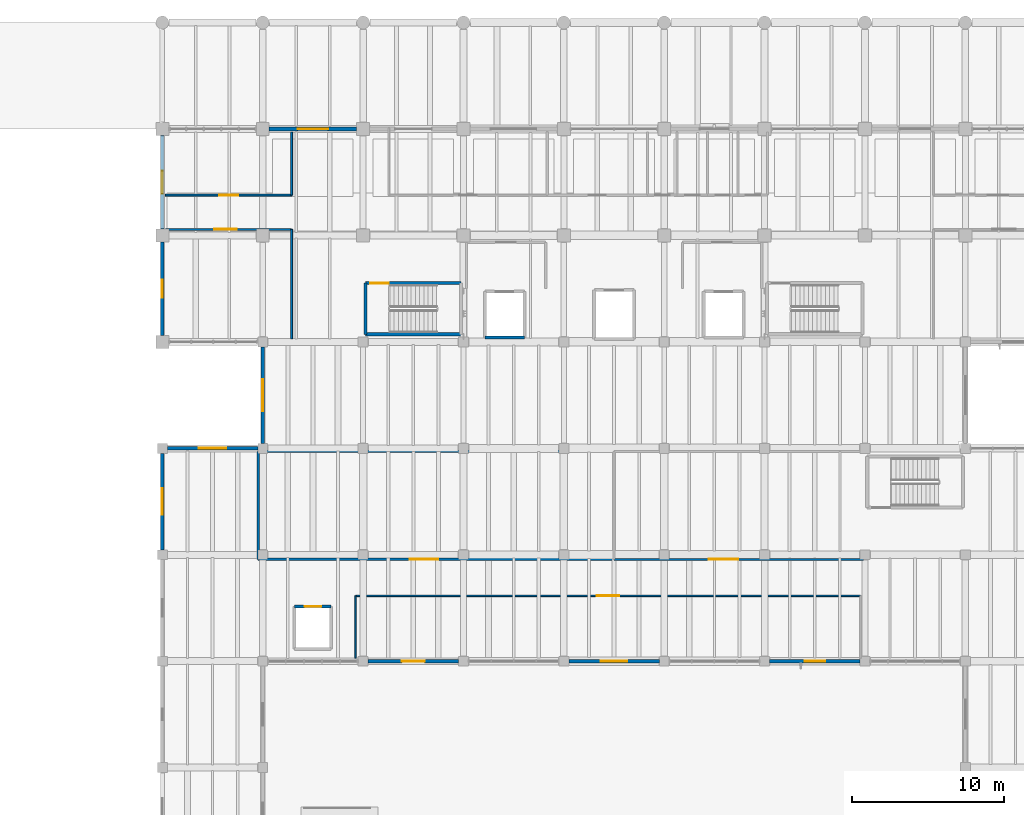
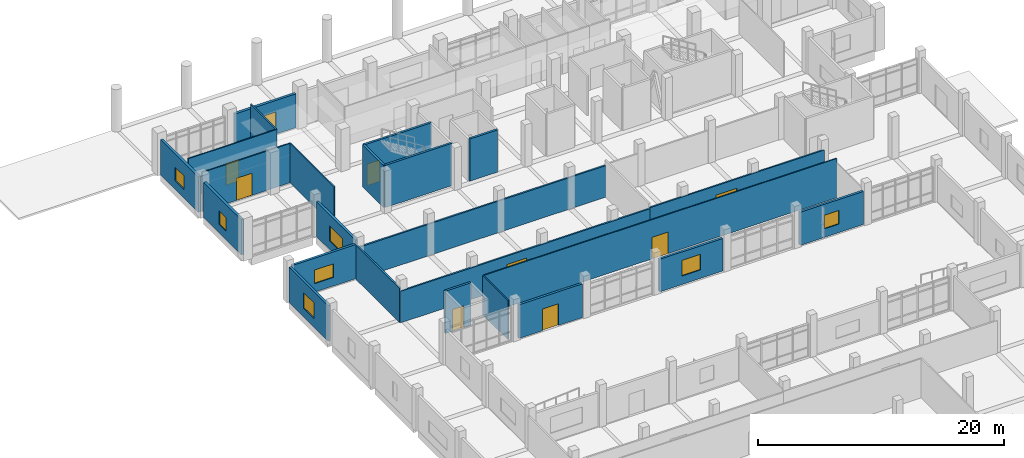
# One storey, part 48 of 69: 24 walls, 9 doors, 7 windows, 16 openings.
"""IFC4 building model written with IfcOpenShell, lengths in metres."""

from ifc_helpers import new_model, si_unit, direction, frame, frame_2d, origin, place, context, subcontext, project, spatial, rectangle, extrude, material, layer, layer_set, type_object, element, fill, save


model = new_model("IFC4")

# Units and contexts
model_context = context("Model", 3, precision=1e-05, world=origin(), true_north=direction((0.0, 1.0)))
body_context = subcontext(model_context, "Body", "Model", "MODEL_VIEW")
ifc_project = project(units=[si_unit("LENGTHUNIT", "METRE"), si_unit("AREAUNIT", "SQUARE_METRE"), si_unit("VOLUMEUNIT", "CUBIC_METRE"), si_unit("PLANEANGLEUNIT", "RADIAN"), si_unit("MASSUNIT", "GRAM", prefix="KILO")], contexts=[model_context])

# Site, building, storey
site_placement = place(None, origin())
site = spatial("IfcSite", under=ifc_project, at=site_placement, CompositionType="ELEMENT")
building_placement = place(site_placement, origin())
building = spatial("IfcBuilding", under=site, at=building_placement, Name="Ciguamira Faculty of Natural Sciences", CompositionType="ELEMENT")
storey_placement = place(building_placement, origin())
storey = spatial("IfcBuildingStorey", under=building, at=storey_placement, Name="L00", CompositionType="ELEMENT", Elevation=0.0)

# Wall, opening, door
ifc_material_1 = material(Name="Precast concrete C40/50", Category="concrete")
ifc_layer_1 = layer(ifc_material_1, 0.239990234375, Name="Precast concrete C40/50")
ifc_layer_set_1 = layer_set([ifc_layer_1], Name="Precast concrete C40/50")
wall_type_1 = type_object("IfcWallType", Name="ExtWall_EW-02_240", PredefinedType="SOLIDWALL", material=ifc_layer_set_1)
wall_1_placement = place(storey_placement, frame((64.324951171875, 108.0, 0.0), z_axis=(0.0, 0.0, 1.0), x_axis=(1.0, 0.0, 0.0)))
wall_1 = element("IfcWall", 1, at=wall_1_placement, inside=storey, type_object=wall_type_1, Name="L00 exterior wall 0100", PredefinedType="SOLIDWALL", context=body_context, shape_type="SweptSolid", body=[
    extrude(rectangle(XDim=5.75, YDim=0.239990234375, at=frame_2d((2.875, 0.0))), origin(), (0.0, 0.0, 1.0), 3.344970703125),
])
opening_1_placement = place(wall_1_placement, frame((1.875, 0.0, 0.0)))
opening_1 = element("IfcOpeningElement", 2, at=opening_1_placement, cuts=wall_1, Name="Opening ED-01", PredefinedType="OPENING", context=body_context, shape_type="SweptSolid", body=[
    extrude(rectangle(XDim=2.0, YDim=2.199951171875, at=frame_2d((1.0, 1.10009765625))), frame((0.0, 0.1298828125, 0.0), z_axis=(0.0, -1.0, 0.0), x_axis=(1.0, 0.0, 0.0)), (0.0, 0.0, 1.0), 0.260009765625),
])
ifc_material_2 = material(Name="Anodized aluminium double exit door", Category="aluminium")
door_type_1 = type_object("IfcDoorType", Name="ExtDoor_ED-01_2000x2200", OperationType="NOTDEFINED", PredefinedType="DOOR", material=ifc_material_2)
door_1_placement = place(opening_1_placement, origin())
door_1 = element("IfcDoor", 3, at=door_1_placement, inside=storey, type_object=door_type_1, Name="Tower West Boulevard Final Exit ED-12", OperationType="DOUBLE_DOOR_SINGLE_SWING", OverallHeight=2.199951171875, OverallWidth=2.0, PredefinedType="DOOR", context=body_context, shape_type="SweptSolid", body=[
    extrude(rectangle(XDim=2.0, YDim=2.199951171875, at=frame_2d((1.0, 1.10009765625))), frame((0.0, 0.02490234375, 0.0), z_axis=(0.0, -1.0, 0.0), x_axis=(1.0, 0.0, 0.0)), (0.0, 0.0, 1.0), 0.050048828125),
])
fill(opening_1, door_1)

# Wall, opening, window
wall_2_placement = place(storey_placement, frame((57.300048828125, 94.425048828125, 0.0), z_axis=(0.0, 0.0, 1.0), x_axis=(0.0, 1.0, 0.0)))
wall_2 = element("IfcWall", 4, at=wall_2_placement, inside=storey, type_object=wall_type_1, Name="L00 exterior wall 0115", PredefinedType="SOLIDWALL", context=body_context, shape_type="SweptSolid", body=[
    extrude(rectangle(XDim=6.14990234375, YDim=0.239990234375, at=frame_2d((3.074951171875, 0.0))), origin(), (0.0, 0.0, 1.0), 3.5048828125),
])
opening_2_placement = place(wall_2_placement, frame((2.47509765625, 0.0, 0.85009765625)))
opening_2 = element("IfcOpeningElement", 5, at=opening_2_placement, cuts=wall_2, Name="Opening WT-01", PredefinedType="OPENING", context=body_context, shape_type="SweptSolid", body=[
    extrude(rectangle(XDim=1.199951171875, YDim=1.35009765625, at=frame_2d((0.60009765625, 0.675048828125))), frame((0.0, 0.1298828125, 0.0), z_axis=(0.0, -1.0, 0.0), x_axis=(1.0, 0.0, 0.0)), (0.0, 0.0, 1.0), 0.260009765625),
])
ifc_material_3 = material(Name="Hurricane laminated solar glass", Category="glass")
window_type_1 = type_object("IfcWindowType", Name="Window_WT-01_1200x1350", PartitioningType="DOUBLE_PANEL_VERTICAL", PredefinedType="WINDOW", material=ifc_material_3)
window_1_placement = place(opening_2_placement, origin())
window_1 = element("IfcWindow", 6, at=window_1_placement, inside=storey, type_object=window_type_1, Name="L00 facade window 0034", OverallHeight=1.35009765625, OverallWidth=1.199951171875, PartitioningType="SINGLE_PANEL", PredefinedType="WINDOW", context=body_context, shape_type="SweptSolid", body=[
    extrude(rectangle(XDim=1.199951171875, YDim=1.35009765625, at=frame_2d((0.60009765625, 0.675048828125))), frame((0.0, 0.030029296875, 0.0), z_axis=(0.0, -1.0, 0.0), x_axis=(1.0, 0.0, 0.0)), (0.0, 0.0, 1.0), 0.06005859375),
])
fill(opening_2, window_1)

wall_3_placement = place(storey_placement, frame((57.300048828125, 101.425048828125, 0.0), z_axis=(0.0, 0.0, 1.0), x_axis=(0.0, 1.0, 0.0)))
wall_3 = element("IfcWall", 7, at=wall_3_placement, inside=storey, type_object=wall_type_1, Name="L00 exterior wall 0116", PredefinedType="SOLIDWALL", context=body_context, shape_type="SweptSolid", body=[
    extrude(rectangle(XDim=6.14990234375, YDim=0.239990234375, at=frame_2d((3.074951171875, 0.0))), origin(), (0.0, 0.0, 1.0), 3.5048828125),
])
opening_3_placement = place(wall_3_placement, frame((2.324951171875, 0.0, 0.85009765625)))
opening_3 = element("IfcOpeningElement", 8, at=opening_3_placement, cuts=wall_3, Name="Opening WT-03", PredefinedType="OPENING", context=body_context, shape_type="SweptSolid", body=[
    extrude(rectangle(XDim=1.5, YDim=1.35009765625, at=frame_2d((0.75, 0.675048828125))), frame((0.0, 0.1298828125, 0.0), z_axis=(0.0, -1.0, 0.0), x_axis=(1.0, 0.0, 0.0)), (0.0, 0.0, 1.0), 0.260009765625),
])
window_type_2 = type_object("IfcWindowType", Name="Window_WT-03_1500x1350", PartitioningType="DOUBLE_PANEL_VERTICAL", PredefinedType="WINDOW", material=ifc_material_3)
window_2_placement = place(opening_3_placement, origin())
window_2 = element("IfcWindow", 9, at=window_2_placement, inside=storey, type_object=window_type_2, Name="L00 facade window 0035", OverallHeight=1.35009765625, OverallWidth=1.5, PartitioningType="SINGLE_PANEL", PredefinedType="WINDOW", context=body_context, shape_type="SweptSolid", body=[
    extrude(rectangle(XDim=1.5, YDim=1.35009765625, at=frame_2d((0.75, 0.675048828125))), frame((0.0, 0.030029296875, 0.0), z_axis=(0.0, -1.0, 0.0), x_axis=(1.0, 0.0, 0.0)), (0.0, 0.0, 1.0), 0.06005859375),
])
fill(opening_3, window_2)

# Wall, opening, door
ifc_layer_2 = layer(ifc_material_1, 0.219970703125, Name="Precast concrete C40/50")
ifc_layer_set_2 = layer_set([ifc_layer_2], Name="Precast concrete C40/50")
wall_type_2 = type_object("IfcWallType", Name="ExtWall_EW-03_220", PredefinedType="SOLIDWALL", material=ifc_layer_set_2)
wall_4_placement = place(storey_placement, frame((70.824951171875, 73.0, 0.0), z_axis=(0.0, 0.0, 1.0), x_axis=(1.0, 0.0, 0.0)))
wall_4 = element("IfcWall", 10, at=wall_4_placement, inside=storey, type_object=wall_type_2, Name="L00 exterior wall 0095", PredefinedType="SOLIDWALL", context=body_context, shape_type="SweptSolid", body=[
    extrude(rectangle(XDim=5.949951171875, YDim=0.219970703125, at=frame_2d((2.97509765625, 0.0))), origin(), (0.0, 0.0, 1.0), 3.344970703125),
])
opening_4_placement = place(wall_4_placement, frame((2.22509765625, 0.0, 0.0)))
opening_4 = element("IfcOpeningElement", 11, at=opening_4_placement, cuts=wall_4, Name="Opening ED-09", PredefinedType="OPENING", context=body_context, shape_type="SweptSolid", body=[
    extrude(rectangle(XDim=1.5, YDim=2.14990234375, at=frame_2d((0.75, 1.074951171875))), frame((0.0, 0.119873046875, 0.0), z_axis=(0.0, -1.0, 0.0), x_axis=(1.0, 0.0, 0.0)), (0.0, 0.0, 1.0), 0.239990234375),
])
ifc_material_4 = material(Name="Court promenade entrance door")
door_type_2 = type_object("IfcDoorType", Name="ExtDoor_ED-09_1500x2150", OperationType="NOTDEFINED", PredefinedType="DOOR", material=ifc_material_4)
door_2_placement = place(opening_4_placement, frame((1.5, 0.0, 0.0), z_axis=(0.0, 0.0, 1.0), x_axis=(-1.0, 0.0, 0.0)))
door_2 = element("IfcDoor", 12, at=door_2_placement, inside=storey, type_object=door_type_2, Name="Karst Court North Concourse Exit ED-11", OperationType="DOUBLE_DOOR_SINGLE_SWING", OverallHeight=2.14990234375, OverallWidth=1.5, PredefinedType="DOOR", context=body_context, shape_type="SweptSolid", body=[
    extrude(rectangle(XDim=1.5, YDim=2.14990234375, at=frame_2d((0.75, 1.074951171875))), frame((0.0, 0.02490234375, 0.0), z_axis=(0.0, -1.0, 0.0), x_axis=(1.0, 0.0, 0.0)), (0.0, 0.0, 1.0), 0.050048828125),
])
fill(opening_4, door_2)

# Wall, opening, window
wall_5_placement = place(storey_placement, frame((84.02490234375, 73.0, 0.0), z_axis=(0.0, 0.0, 1.0), x_axis=(1.0, 0.0, 0.0)))
wall_5 = element("IfcWall", 13, at=wall_5_placement, inside=storey, type_object=wall_type_2, Name="L00 exterior wall 0096", PredefinedType="SOLIDWALL", context=body_context, shape_type="SweptSolid", body=[
    extrude(rectangle(XDim=5.9501953125, YDim=0.219970703125, at=frame_2d((2.97509765625, 0.0))), origin(), (0.0, 0.0, 1.0), 3.235107421875),
])
opening_5_placement = place(wall_5_placement, frame((2.10009765625, 0.0, 0.85009765625)))
opening_5 = element("IfcOpeningElement", 14, at=opening_5_placement, cuts=wall_5, Name="Opening WT-39", PredefinedType="OPENING", context=body_context, shape_type="SweptSolid", body=[
    extrude(rectangle(XDim=1.75, YDim=1.550048828125, at=frame_2d((0.875, 0.77490234375))), frame((0.0, 0.119873046875, 0.0), z_axis=(0.0, -1.0, 0.0), x_axis=(1.0, 0.0, 0.0)), (0.0, 0.0, 1.0), 0.239990234375),
])
window_type_3 = type_object("IfcWindowType", Name="Window_WT-39_1750x1550", PartitioningType="DOUBLE_PANEL_VERTICAL", PredefinedType="WINDOW", material=ifc_material_3)
window_3_placement = place(opening_5_placement, origin())
window_3 = element("IfcWindow", 15, at=window_3_placement, inside=storey, type_object=window_type_3, Name="L00 facade window 0021", OverallHeight=1.550048828125, OverallWidth=1.75, PartitioningType="SINGLE_PANEL", PredefinedType="WINDOW", context=body_context, shape_type="SweptSolid", body=[
    extrude(rectangle(XDim=1.75, YDim=1.550048828125, at=frame_2d((0.875, 0.77490234375))), frame((0.0, 0.030029296875, 0.0), z_axis=(0.0, -1.0, 0.0), x_axis=(1.0, 0.0, 0.0)), (0.0, 0.0, 1.0), 0.06005859375),
])
fill(opening_5, window_3)

wall_6_placement = place(storey_placement, frame((97.22509765625, 73.0, 0.0), z_axis=(0.0, 0.0, 1.0), x_axis=(1.0, 0.0, 0.0)))
wall_6 = element("IfcWall", 16, at=wall_6_placement, inside=storey, type_object=wall_type_2, Name="L00 exterior wall 0097", PredefinedType="SOLIDWALL", context=body_context, shape_type="SweptSolid", body=[
    extrude(rectangle(XDim=5.949951171875, YDim=0.219970703125, at=frame_2d((2.97509765625, 0.0))), origin(), (0.0, 0.0, 1.0), 3.284912109375),
])
opening_6_placement = place(wall_6_placement, frame((2.300048828125, 0.0, 0.85009765625)))
opening_6 = element("IfcOpeningElement", 17, at=opening_6_placement, cuts=wall_6, Name="Opening WT-02", PredefinedType="OPENING", context=body_context, shape_type="SweptSolid", body=[
    extrude(rectangle(XDim=1.35009765625, YDim=1.35009765625, at=frame_2d((0.675048828125, 0.675048828125))), frame((0.0, 0.119873046875, 0.0), z_axis=(0.0, -1.0, 0.0), x_axis=(1.0, 0.0, 0.0)), (0.0, 0.0, 1.0), 0.239990234375),
])
window_type_4 = type_object("IfcWindowType", Name="Window_WT-02_1350x1350", PartitioningType="DOUBLE_PANEL_VERTICAL", PredefinedType="WINDOW", material=ifc_material_3)
window_4_placement = place(opening_6_placement, origin())
window_4 = element("IfcWindow", 18, at=window_4_placement, inside=storey, type_object=window_type_4, Name="L00 facade window 0022", OverallHeight=1.35009765625, OverallWidth=1.35009765625, PartitioningType="SINGLE_PANEL", PredefinedType="WINDOW", context=body_context, shape_type="SweptSolid", body=[
    extrude(rectangle(XDim=1.35009765625, YDim=1.35009765625, at=frame_2d((0.675048828125, 0.675048828125))), frame((0.0, 0.030029296875, 0.0), z_axis=(0.0, -1.0, 0.0), x_axis=(1.0, 0.0, 0.0)), (0.0, 0.0, 1.0), 0.06005859375),
])
fill(opening_6, window_4)

wall_7_placement = place(storey_placement, frame((57.625, 87.0, 0.0), z_axis=(0.0, 0.0, 1.0), x_axis=(1.0, 0.0, 0.0)))
wall_7 = element("IfcWall", 19, at=wall_7_placement, inside=storey, type_object=wall_type_2, Name="L00 exterior wall 0098", PredefinedType="SOLIDWALL", context=body_context, shape_type="SweptSolid", body=[
    extrude(rectangle(XDim=5.949951171875, YDim=0.219970703125, at=frame_2d((2.97509765625, 0.0))), origin(), (0.0, 0.0, 1.0), 3.385009765625),
])
opening_7_placement = place(wall_7_placement, frame((2.074951171875, 0.0, 0.85009765625)))
opening_7 = element("IfcOpeningElement", 20, at=opening_7_placement, cuts=wall_7, Name="Opening WT-05", PredefinedType="OPENING", context=body_context, shape_type="SweptSolid", body=[
    extrude(rectangle(XDim=1.800048828125, YDim=1.35009765625, at=frame_2d((0.89990234375, 0.675048828125))), frame((0.0, 0.119873046875, 0.0), z_axis=(0.0, -1.0, 0.0), x_axis=(1.0, 0.0, 0.0)), (0.0, 0.0, 1.0), 0.239990234375),
])
window_type_5 = type_object("IfcWindowType", Name="Window_WT-05_1800x1350", PartitioningType="DOUBLE_PANEL_VERTICAL", PredefinedType="WINDOW", material=ifc_material_3)
window_5_placement = place(opening_7_placement, origin())
window_5 = element("IfcWindow", 21, at=window_5_placement, inside=storey, type_object=window_type_5, Name="L00 facade window 0023", OverallHeight=1.35009765625, OverallWidth=1.800048828125, PartitioningType="SINGLE_PANEL", PredefinedType="WINDOW", context=body_context, shape_type="SweptSolid", body=[
    extrude(rectangle(XDim=1.800048828125, YDim=1.35009765625, at=frame_2d((0.89990234375, 0.675048828125))), frame((0.0, 0.030029296875, 0.0), z_axis=(0.0, -1.0, 0.0), x_axis=(1.0, 0.0, 0.0)), (0.0, 0.0, 1.0), 0.06005859375),
])
fill(opening_7, window_5)

wall_8_placement = place(storey_placement, frame((57.300048828125, 80.324951171875, 0.0), z_axis=(0.0, 0.0, 1.0), x_axis=(0.0, 1.0, 0.0)))
wall_8 = element("IfcWall", 22, at=wall_8_placement, inside=storey, type_object=wall_type_2, Name="L00 exterior wall 0114", PredefinedType="SOLIDWALL", context=body_context, shape_type="SweptSolid", body=[
    extrude(rectangle(XDim=6.35009765625, YDim=0.219970703125, at=frame_2d((3.175048828125, 0.0))), origin(), (0.0, 0.0, 1.0), 3.5048828125),
])
opening_8_placement = place(wall_8_placement, frame((2.300048828125, 0.0, 0.85009765625)))
opening_8 = element("IfcOpeningElement", 23, at=opening_8_placement, cuts=wall_8, Name="Opening WT-39", PredefinedType="OPENING", context=body_context, shape_type="SweptSolid", body=[
    extrude(rectangle(XDim=1.75, YDim=1.550048828125, at=frame_2d((0.875, 0.77490234375))), frame((0.0, 0.119873046875, 0.0), z_axis=(0.0, -1.0, 0.0), x_axis=(1.0, 0.0, 0.0)), (0.0, 0.0, 1.0), 0.239990234375),
])
window_6_placement = place(opening_8_placement, origin())
window_6 = element("IfcWindow", 24, at=window_6_placement, inside=storey, type_object=window_type_3, Name="L00 facade window 0033", OverallHeight=1.550048828125, OverallWidth=1.75, PartitioningType="SINGLE_PANEL", PredefinedType="WINDOW", context=body_context, shape_type="SweptSolid", body=[
    extrude(rectangle(XDim=1.75, YDim=1.550048828125, at=frame_2d((0.875, 0.77490234375))), frame((0.0, 0.030029296875, 0.0), z_axis=(0.0, -1.0, 0.0), x_axis=(1.0, 0.0, 0.0)), (0.0, 0.0, 1.0), 0.06005859375),
])
fill(opening_8, window_6)

wall_9_placement = place(storey_placement, frame((63.89990234375, 87.324951171875, 0.0), z_axis=(0.0, 0.0, 1.0), x_axis=(0.0, 1.0, 0.0)))
wall_9 = element("IfcWall", 25, at=wall_9_placement, inside=storey, type_object=wall_type_2, Name="L00 exterior wall 0120", PredefinedType="SOLIDWALL", context=body_context, shape_type="SweptSolid", body=[
    extrude(rectangle(XDim=6.35009765625, YDim=0.219970703125, at=frame_2d((3.175048828125, 0.0))), origin(), (0.0, 0.0, 1.0), 3.465087890625),
])
opening_9_placement = place(wall_9_placement, frame((2.125, 0.0, 0.85009765625)))
opening_9 = element("IfcOpeningElement", 26, at=opening_9_placement, cuts=wall_9, Name="Opening WT-11", PredefinedType="OPENING", context=body_context, shape_type="SweptSolid", body=[
    extrude(rectangle(XDim=2.10009765625, YDim=1.5, at=frame_2d((1.050048828125, 0.75))), frame((0.0, 0.119873046875, 0.0), z_axis=(0.0, -1.0, 0.0), x_axis=(1.0, 0.0, 0.0)), (0.0, 0.0, 1.0), 0.239990234375),
])
window_type_6 = type_object("IfcWindowType", Name="Window_WT-11_2100x1500", PartitioningType="DOUBLE_PANEL_VERTICAL", PredefinedType="WINDOW", material=ifc_material_3)
window_7_placement = place(opening_9_placement, origin())
window_7 = element("IfcWindow", 27, at=window_7_placement, inside=storey, type_object=window_type_6, Name="L00 facade window 0039", OverallHeight=1.5, OverallWidth=2.10009765625, PartitioningType="SINGLE_PANEL", PredefinedType="WINDOW", context=body_context, shape_type="SweptSolid", body=[
    extrude(rectangle(XDim=2.10009765625, YDim=1.5, at=frame_2d((1.050048828125, 0.75))), frame((0.0, 0.030029296875, 0.0), z_axis=(0.0, -1.0, 0.0), x_axis=(1.0, 0.0, 0.0)), (0.0, 0.0, 1.0), 0.06005859375),
])
fill(opening_9, window_7)

# Wall
ifc_material_5 = material(Name="Concrete C40/50", Category="concrete")
ifc_layer_3 = layer(ifc_material_5, 0.199951171875, Name="Concrete C40/50")
ifc_layer_set_3 = layer_set([ifc_layer_3], Name="Concrete C40/50")
wall_type_3 = type_object("IfcWallType", Name="IntWall_CW-S20_200", PredefinedType="SHEAR", material=ifc_layer_set_3)
wall_10_placement = place(storey_placement, frame((70.64990234375, 94.5, 0.0), z_axis=(0.0, 0.0, 1.0), x_axis=(1.0, 0.0, 0.0)))
element("IfcWall", 28, at=wall_10_placement, inside=storey, type_object=wall_type_3, Name="L00 ST-T1 core shear wall south", PredefinedType="SHEAR", context=body_context, shape_type="SweptSolid", body=[
    extrude(rectangle(XDim=6.300048828125, YDim=0.199951171875, at=frame_2d((3.14990234375, 0.0))), origin(), (0.0, 0.0, 1.0), 4.199951171875),
])

# Wall, opening, door
wall_11_placement = place(storey_placement, frame((70.64990234375, 97.860107421875, 0.0), z_axis=(0.0, 0.0, 1.0), x_axis=(1.0, 0.0, 0.0)))
wall_11 = element("IfcWall", 29, at=wall_11_placement, inside=storey, type_object=wall_type_3, Name="L00 ST-T1 core shear wall north", PredefinedType="SHEAR", context=body_context, shape_type="SweptSolid", body=[
    extrude(rectangle(XDim=6.300048828125, YDim=0.199951171875, at=frame_2d((3.14990234375, 0.0))), origin(), (0.0, 0.0, 1.0), 4.199951171875),
])
opening_10_placement = place(wall_11_placement, frame((0.320068359375, 0.0, 0.0)))
opening_10 = element("IfcOpeningElement", 30, at=opening_10_placement, cuts=wall_11, Name="Opening ID-14", PredefinedType="OPENING", context=body_context, shape_type="SweptSolid", body=[
    extrude(rectangle(XDim=1.199951171875, YDim=2.14990234375, at=frame_2d((0.60009765625, 1.074951171875))), frame((0.0, 0.10986328125, 0.0), z_axis=(0.0, -1.0, 0.0), x_axis=(1.0, 0.0, 0.0)), (0.0, 0.0, 1.0), 0.219970703125),
])
ifc_material_6 = material(Name="Protected exit stair fire door")
door_type_3 = type_object("IfcDoorType", Name="IntDoor_ID-14_1200x2150", OperationType="NOTDEFINED", PredefinedType="DOOR", material=ifc_material_6)
door_3_placement = place(opening_10_placement, frame((1.199951171875, 0.0, 0.0), z_axis=(0.0, 0.0, 1.0), x_axis=(-1.0, 0.0, 0.0)))
door_3 = element("IfcDoor", 31, at=door_3_placement, inside=storey, type_object=door_type_3, Name="L00 ST-T1 exit stair fire door", OperationType="SINGLE_SWING_RIGHT", OverallHeight=2.14990234375, OverallWidth=1.199951171875, PredefinedType="DOOR", context=body_context, shape_type="SweptSolid", body=[
    extrude(rectangle(XDim=1.199951171875, YDim=2.14990234375, at=frame_2d((0.60009765625, 1.074951171875))), frame((0.0, 0.02490234375, 0.0), z_axis=(0.0, -1.0, 0.0), x_axis=(1.0, 0.0, 0.0)), (0.0, 0.0, 1.0), 0.050048828125),
])
fill(opening_10, door_3)

# Walls
wall_12_placement = place(storey_placement, frame((70.64990234375, 94.5, 0.0), z_axis=(0.0, 0.0, 1.0), x_axis=(0.0, 1.0, 0.0)))
element("IfcWall", 32, at=wall_12_placement, inside=storey, type_object=wall_type_3, Name="L00 ST-T1 core shear wall west", PredefinedType="SHEAR", context=body_context, shape_type="SweptSolid", body=[
    extrude(rectangle(XDim=3.360107421875, YDim=0.199951171875, at=frame_2d((1.68017578125, 0.0))), origin(), (0.0, 0.0, 1.0), 4.199951171875),
])
wall_13_placement = place(storey_placement, frame((78.5, 94.300048828125, 0.0), z_axis=(0.0, 0.0, 1.0), x_axis=(1.0, 0.0, 0.0)))
element("IfcWall", 33, at=wall_13_placement, inside=storey, type_object=wall_type_3, Name="L00 EL-FF1 hoistway wall south", PredefinedType="SHEAR", context=body_context, shape_type="SweptSolid", body=[
    extrude(rectangle(XDim=2.60009765625, YDim=0.199951171875, at=frame_2d((1.300048828125, 0.0))), origin(), (0.0, 0.0, 1.0), 4.199951171875),
])

# Wall, opening, door
wall_14_placement = place(storey_placement, frame((66.0, 76.60009765625, 0.0), z_axis=(0.0, 0.0, 1.0), x_axis=(1.0, 0.0, 0.0)))
wall_14 = element("IfcWall", 34, at=wall_14_placement, inside=storey, type_object=wall_type_3, Name="L00 EL-P4 hoistway wall north", PredefinedType="SHEAR", context=body_context, shape_type="SweptSolid", body=[
    extrude(rectangle(XDim=2.39990234375, YDim=0.199951171875, at=frame_2d((1.199951171875, 0.0))), origin(), (0.0, 0.0, 1.0), 4.199951171875),
])
opening_11_placement = place(wall_14_placement, frame((0.64990234375, 0.0, 0.0)))
opening_11 = element("IfcOpeningElement", 35, at=opening_11_placement, cuts=wall_14, Name="Opening LD-01", PredefinedType="OPENING", context=body_context, shape_type="SweptSolid", body=[
    extrude(rectangle(XDim=1.10009765625, YDim=2.14990234375, at=frame_2d((0.550048828125, 1.074951171875))), frame((0.0, 0.10986328125, 0.0), z_axis=(0.0, -1.0, 0.0), x_axis=(1.0, 0.0, 0.0)), (0.0, 0.0, 1.0), 0.219970703125),
])
ifc_material_7 = material(Name="Passenger elevator sliding landing door")
door_type_4 = type_object("IfcDoorType", Name="LiftLandingDoor_LD-01_1100x2150", OperationType="SLIDING_TO_LEFT", PredefinedType="DOOR", material=ifc_material_7)
door_4_placement = place(opening_11_placement, origin())
door_4 = element("IfcDoor", 36, at=door_4_placement, inside=storey, type_object=door_type_4, Name="L00 EL-P4 elevator landing sliding door", OperationType="SLIDING_TO_LEFT", OverallHeight=2.14990234375, OverallWidth=1.10009765625, PredefinedType="DOOR", context=body_context, shape_type="SweptSolid", body=[
    extrude(rectangle(XDim=1.10009765625, YDim=2.14990234375, at=frame_2d((0.550048828125, 1.074951171875))), frame((0.0, 0.02490234375, 0.0), z_axis=(0.0, -1.0, 0.0), x_axis=(1.0, 0.0, 0.0)), (0.0, 0.0, 1.0), 0.050048828125),
])
fill(opening_11, door_4)

ifc_material_8 = material(Name="Fire-rated gypsum partition")
ifc_layer_4 = layer(ifc_material_8, 0.10009765625, Name="Fire-rated gypsum partition")
ifc_layer_set_4 = layer_set([ifc_layer_4], Name="Fire-rated gypsum partition")
wall_type_4 = type_object("IfcWallType", Name="IntWall_IW-A10_100", PredefinedType="PARTITIONING", material=ifc_layer_set_4)
wall_15_placement = place(storey_placement, frame((70.0, 77.300048828125, 0.0), z_axis=(0.0, 0.0, 1.0), x_axis=(1.0, 0.0, 0.0)))
wall_15 = element("IfcWall", 37, at=wall_15_placement, inside=storey, type_object=wall_type_4, Name="L00 L00 Court Overlook Write-Up Studio partition north", PredefinedType="PARTITIONING", context=body_context, shape_type="SweptSolid", body=[
    extrude(rectangle(XDim=33.199951171875, YDim=0.10009765625, at=frame_2d((16.60009765625, 0.0))), origin(), (0.0, 0.0, 1.0), 3.89990234375),
])
opening_12_placement = place(wall_15_placement, frame((15.85009765625, 0.0, 0.0)))
opening_12 = element("IfcOpeningElement", 38, at=opening_12_placement, cuts=wall_15, Name="Opening ID-17", PredefinedType="OPENING", context=body_context, shape_type="SweptSolid", body=[
    extrude(rectangle(XDim=1.5, YDim=2.14990234375, at=frame_2d((0.75, 1.074951171875))), frame((0.0, 0.06005859375, 0.0), z_axis=(0.0, -1.0, 0.0), x_axis=(1.0, 0.0, 0.0)), (0.0, 0.0, 1.0), 0.1201171875),
])
ifc_material_9 = material(Name="Plant room double steel door", Category="steel")
door_type_5 = type_object("IfcDoorType", Name="IntDoor_ID-17_1500x2150", OperationType="NOTDEFINED", PredefinedType="DOOR", material=ifc_material_9)
door_5_placement = place(opening_12_placement, frame((1.5, 0.0, 0.0), z_axis=(0.0, 0.0, 1.0), x_axis=(-1.0, 0.0, 0.0)))
door_5 = element("IfcDoor", 39, at=door_5_placement, inside=storey, type_object=door_type_5, Name="L00 L00 Court Overlook Write-Up Studio door", OperationType="SINGLE_SWING_LEFT", OverallHeight=2.14990234375, OverallWidth=1.5, PredefinedType="DOOR", context=body_context, shape_type="SweptSolid", body=[
    extrude(rectangle(XDim=1.5, YDim=2.14990234375, at=frame_2d((0.75, 1.074951171875))), frame((0.0, 0.02490234375, 0.0), z_axis=(0.0, -1.0, 0.0), x_axis=(1.0, 0.0, 0.0)), (0.0, 0.0, 1.0), 0.050048828125),
])
fill(opening_12, door_5)

# Wall
wall_16_placement = place(storey_placement, frame((70.0, 73.199951171875, 0.0), z_axis=(0.0, 0.0, 1.0), x_axis=(0.0, 1.0, 0.0)))
element("IfcWall", 40, at=wall_16_placement, inside=storey, type_object=wall_type_4, Name="L00 L00 Court Overlook Write-Up Studio partition west", PredefinedType="PARTITIONING", context=body_context, shape_type="SweptSolid", body=[
    extrude(rectangle(XDim=4.10009765625, YDim=0.10009765625, at=frame_2d((2.050048828125, 0.0))), origin(), (0.0, 0.0, 1.0), 3.89990234375),
])

# Wall, opening, door
ifc_material_10 = material(Name="Acoustic double-stud gypsum partition")
ifc_layer_5 = layer(ifc_material_10, 0.1201171875, Name="Acoustic double-stud gypsum partition")
ifc_layer_set_5 = layer_set([ifc_layer_5], Name="Acoustic double-stud gypsum partition")
wall_type_5 = type_object("IfcWallType", Name="IntWall_IW-A12_120", PredefinedType="PARTITIONING", material=ifc_layer_set_5)
wall_17_placement = place(storey_placement, frame((57.5, 103.64990234375, 0.0), z_axis=(0.0, 0.0, 1.0), x_axis=(1.0, 0.0, 0.0)))
wall_17 = element("IfcWall", 41, at=wall_17_placement, inside=storey, type_object=wall_type_5, Name="L00 Boulevard Outreach Seminar Room partition south", PredefinedType="PARTITIONING", context=body_context, shape_type="SweptSolid", body=[
    extrude(rectangle(XDim=8.300048828125, YDim=0.1201171875, at=frame_2d((4.14990234375, 0.0))), origin(), (0.0, 0.0, 1.0), 3.89990234375),
])
opening_13_placement = place(wall_17_placement, frame((3.52490234375, 0.0, 0.0)))
opening_13 = element("IfcOpeningElement", 42, at=opening_13_placement, cuts=wall_17, Name="Opening ID-06", PredefinedType="OPENING", context=body_context, shape_type="SweptSolid", body=[
    extrude(rectangle(XDim=1.25, YDim=2.14990234375, at=frame_2d((0.625, 1.074951171875))), frame((0.0, 0.070068359375, 0.0), z_axis=(0.0, -1.0, 0.0), x_axis=(1.0, 0.0, 0.0)), (0.0, 0.0, 1.0), 0.14013671875),
])
ifc_material_11 = material(Name="Instrument room leaf-and-half door")
door_type_6 = type_object("IfcDoorType", Name="IntDoor_ID-06_1250x2150", OperationType="NOTDEFINED", PredefinedType="DOOR", material=ifc_material_11)
door_6_placement = place(opening_13_placement, origin())
door_6 = element("IfcDoor", 43, at=door_6_placement, inside=storey, type_object=door_type_6, Name="L00 Boulevard Outreach Seminar Room door", OperationType="SINGLE_SWING_RIGHT", OverallHeight=2.14990234375, OverallWidth=1.25, PredefinedType="DOOR", context=body_context, shape_type="SweptSolid", body=[
    extrude(rectangle(XDim=1.25, YDim=2.14990234375, at=frame_2d((0.625, 1.074951171875))), frame((0.0, 0.02490234375, 0.0), z_axis=(0.0, -1.0, 0.0), x_axis=(1.0, 0.0, 0.0)), (0.0, 0.0, 1.0), 0.050048828125),
])
fill(opening_13, door_6)

# Wall
wall_18_placement = place(storey_placement, frame((65.800048828125, 103.64990234375, 0.0), z_axis=(0.0, 0.0, 1.0), x_axis=(0.0, 1.0, 0.0)))
element("IfcWall", 44, at=wall_18_placement, inside=storey, type_object=wall_type_5, Name="L00 Boulevard Outreach Seminar Room partition east", PredefinedType="PARTITIONING", context=body_context, shape_type="SweptSolid", body=[
    extrude(rectangle(XDim=4.150146484375, YDim=0.1201171875, at=frame_2d((2.0751953125, 0.0))), origin(), (0.0, 0.0, 1.0), 3.89990234375),
])

# Wall, opening, door
wall_19_placement = place(storey_placement, frame((57.5, 101.39990234375, 0.0), z_axis=(0.0, 0.0, 1.0), x_axis=(1.0, 0.0, 0.0)))
wall_19 = element("IfcWall", 45, at=wall_19_placement, inside=storey, type_object=wall_type_5, Name="L00 Graduate Advising Seminar Room partition north", PredefinedType="PARTITIONING", context=body_context, shape_type="SweptSolid", body=[
    extrude(rectangle(XDim=8.300048828125, YDim=0.1201171875, at=frame_2d((4.14990234375, 0.0))), origin(), (0.0, 0.0, 1.0), 3.89990234375),
])
opening_14_placement = place(wall_19_placement, frame((3.22509765625, 0.0, 0.0)))
opening_14 = element("IfcOpeningElement", 46, at=opening_14_placement, cuts=wall_19, Name="Opening ID-08", PredefinedType="OPENING", context=body_context, shape_type="SweptSolid", body=[
    extrude(rectangle(XDim=1.449951171875, YDim=2.199951171875, at=frame_2d((0.72509765625, 1.10009765625))), frame((0.0, 0.070068359375, 0.0), z_axis=(0.0, -1.0, 0.0), x_axis=(1.0, 0.0, 0.0)), (0.0, 0.0, 1.0), 0.14013671875),
])
ifc_material_12 = material(Name="Wet chemistry laboratory door")
door_type_7 = type_object("IfcDoorType", Name="IntDoor_ID-08_1450x2200", OperationType="NOTDEFINED", PredefinedType="DOOR", material=ifc_material_12)
door_7_placement = place(opening_14_placement, frame((1.449951171875, 0.0, 0.0), z_axis=(0.0, 0.0, 1.0), x_axis=(-1.0, 0.0, 0.0)))
door_7 = element("IfcDoor", 47, at=door_7_placement, inside=storey, type_object=door_type_7, Name="L00 Graduate Advising Seminar Room door", OperationType="SINGLE_SWING_RIGHT", OverallHeight=2.199951171875, OverallWidth=1.449951171875, PredefinedType="DOOR", context=body_context, shape_type="SweptSolid", body=[
    extrude(rectangle(XDim=1.449951171875, YDim=2.199951171875, at=frame_2d((0.72509765625, 1.10009765625))), frame((0.0, 0.02490234375, 0.0), z_axis=(0.0, -1.0, 0.0), x_axis=(1.0, 0.0, 0.0)), (0.0, 0.0, 1.0), 0.050048828125),
])
fill(opening_14, door_7)

# Wall
wall_20_placement = place(storey_placement, frame((65.800048828125, 94.199951171875, 0.0), z_axis=(0.0, 0.0, 1.0), x_axis=(0.0, 1.0, 0.0)))
element("IfcWall", 48, at=wall_20_placement, inside=storey, type_object=wall_type_5, Name="L00 Graduate Advising Seminar Room partition east", PredefinedType="PARTITIONING", context=body_context, shape_type="SweptSolid", body=[
    extrude(rectangle(XDim=7.199951171875, YDim=0.1201171875, at=frame_2d((3.60009765625, 0.0))), origin(), (0.0, 0.0, 1.0), 3.89990234375),
])

# Wall, opening, door
ifc_material_13 = material(Name="Acoustic laboratory corridor partition")
ifc_layer_6 = layer(ifc_material_13, 0.14990234375, Name="Acoustic laboratory corridor partition")
ifc_layer_set_6 = layer_set([ifc_layer_6], Name="Acoustic laboratory corridor partition")
wall_type_6 = type_object("IfcWallType", Name="IntWall_IW-G15_150", PredefinedType="PARTITIONING", material=ifc_layer_set_6)
wall_21_placement = place(storey_placement, frame((63.60009765625, 79.699951171875, 0.0), z_axis=(0.0, 0.0, 1.0), x_axis=(1.0, 0.0, 0.0)))
wall_21 = element("IfcWall", 49, at=wall_21_placement, inside=storey, type_object=wall_type_6, Name="L00 Earth Sciences Petrology Laboratory partition south", PredefinedType="PARTITIONING", context=body_context, shape_type="SweptSolid", body=[
    extrude(rectangle(XDim=23.39990234375, YDim=0.14990234375, at=frame_2d((11.699951171875, 0.0))), origin(), (0.0, 0.0, 1.0), 3.135009765625),
])
opening_15_placement = place(wall_21_placement, frame((9.97509765625, 0.0, 0.0)))
opening_15 = element("IfcOpeningElement", 50, at=opening_15_placement, cuts=wall_21, Name="Opening ID-12", PredefinedType="OPENING", context=body_context, shape_type="SweptSolid", body=[
    extrude(rectangle(XDim=1.85009765625, YDim=2.300048828125, at=frame_2d((0.925048828125, 1.14990234375))), frame((0.0, 0.0849609375, 0.0), z_axis=(0.0, -1.0, 0.0), x_axis=(1.0, 0.0, 0.0)), (0.0, 0.0, 1.0), 0.169921875),
])
ifc_material_14 = material(Name="Lecture auditorium acoustic double door")
door_type_8 = type_object("IfcDoorType", Name="IntDoor_ID-12_1850x2300", OperationType="NOTDEFINED", PredefinedType="DOOR", material=ifc_material_14)
door_8_placement = place(opening_15_placement, origin())
door_8 = element("IfcDoor", 51, at=door_8_placement, inside=storey, type_object=door_type_8, Name="L00 Earth Sciences Petrology Laboratory door", OperationType="SINGLE_SWING_LEFT", OverallHeight=2.300048828125, OverallWidth=1.85009765625, PredefinedType="DOOR", context=body_context, shape_type="SweptSolid", body=[
    extrude(rectangle(XDim=1.85009765625, YDim=2.300048828125, at=frame_2d((0.925048828125, 1.14990234375))), frame((0.0, 0.02490234375, 0.0), z_axis=(0.0, -1.0, 0.0), x_axis=(1.0, 0.0, 0.0)), (0.0, 0.0, 1.0), 0.050048828125),
])
fill(opening_15, door_8)

# Walls
wall_22_placement = place(storey_placement, frame((63.60009765625, 86.800048828125, 0.0), z_axis=(0.0, 0.0, 1.0), x_axis=(1.0, 0.0, 0.0)))
element("IfcWall", 52, at=wall_22_placement, inside=storey, type_object=wall_type_6, Name="L00 Earth Sciences Petrology Laboratory partition north", PredefinedType="PARTITIONING", context=body_context, shape_type="SweptSolid", body=[
    extrude(rectangle(XDim=23.39990234375, YDim=0.14990234375, at=frame_2d((11.699951171875, 0.0))), origin(), (0.0, 0.0, 1.0), 3.135009765625),
])
wall_23_placement = place(storey_placement, frame((63.60009765625, 79.699951171875, 0.0), z_axis=(0.0, 0.0, 1.0), x_axis=(0.0, 1.0, 0.0)))
element("IfcWall", 53, at=wall_23_placement, inside=storey, type_object=wall_type_6, Name="L00 Earth Sciences Petrology Laboratory partition west", PredefinedType="PARTITIONING", context=body_context, shape_type="SweptSolid", body=[
    extrude(rectangle(XDim=7.10009765625, YDim=0.14990234375, at=frame_2d((3.550048828125, 0.0))), origin(), (0.0, 0.0, 1.0), 3.405029296875),
])

# Wall, opening, door
ifc_material_15 = material(Name="Moisture-resistant service chase wall")
ifc_layer_7 = layer(ifc_material_15, 0.139892578125, Name="Moisture-resistant service chase wall")
ifc_layer_set_7 = layer_set([ifc_layer_7], Name="Moisture-resistant service chase wall")
wall_type_7 = type_object("IfcWallType", Name="IntWall_IW-P14_140", PredefinedType="PLUMBINGWALL", material=ifc_layer_set_7)
wall_24_placement = place(storey_placement, frame((87.0, 79.699951171875, 0.0), z_axis=(0.0, 0.0, 1.0), x_axis=(1.0, 0.0, 0.0)))
wall_24 = element("IfcWall", 54, at=wall_24_placement, inside=storey, type_object=wall_type_7, Name="L00 Chemical Reagent Preparation Room partition south", PredefinedType="PLUMBINGWALL", context=body_context, shape_type="SweptSolid", body=[
    extrude(rectangle(XDim=16.39990234375, YDim=0.139892578125, at=frame_2d((8.199951171875, 0.0))), origin(), (0.0, 0.0, 1.0), 3.235107421875),
])
opening_16_placement = place(wall_24_placement, frame((6.22509765625, 0.0, 0.0)))
opening_16 = element("IfcOpeningElement", 55, at=opening_16_placement, cuts=wall_24, Name="Opening ID-13", PredefinedType="OPENING", context=body_context, shape_type="SweptSolid", body=[
    extrude(rectangle(XDim=1.949951171875, YDim=2.300048828125, at=frame_2d((0.97509765625, 1.14990234375))), frame((0.0, 0.079833984375, 0.0), z_axis=(0.0, -1.0, 0.0), x_axis=(1.0, 0.0, 0.0)), (0.0, 0.0, 1.0), 0.159912109375),
])
ifc_material_16 = material(Name="Atrium concourse double fire door")
door_type_9 = type_object("IfcDoorType", Name="IntDoor_ID-13_1950x2300", OperationType="NOTDEFINED", PredefinedType="DOOR", material=ifc_material_16)
door_9_placement = place(opening_16_placement, origin())
door_9 = element("IfcDoor", 56, at=door_9_placement, inside=storey, type_object=door_type_9, Name="L00 Chemical Reagent Preparation Room door", OperationType="SINGLE_SWING_RIGHT", OverallHeight=2.300048828125, OverallWidth=1.949951171875, PredefinedType="DOOR", context=body_context, shape_type="SweptSolid", body=[
    extrude(rectangle(XDim=1.949951171875, YDim=2.300048828125, at=frame_2d((0.97509765625, 1.14990234375))), frame((0.0, 0.02490234375, 0.0), z_axis=(0.0, -1.0, 0.0), x_axis=(1.0, 0.0, 0.0)), (0.0, 0.0, 1.0), 0.050048828125),
])
fill(opening_16, door_9)

save(model, "model.ifc")
